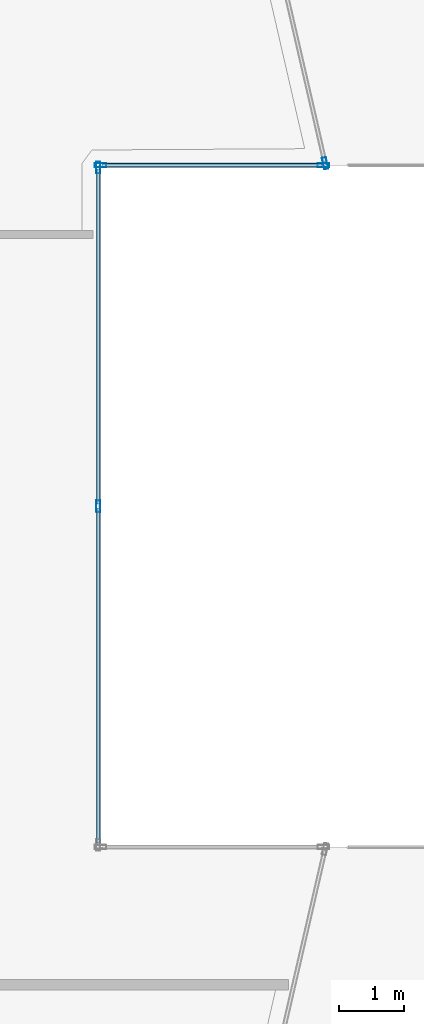
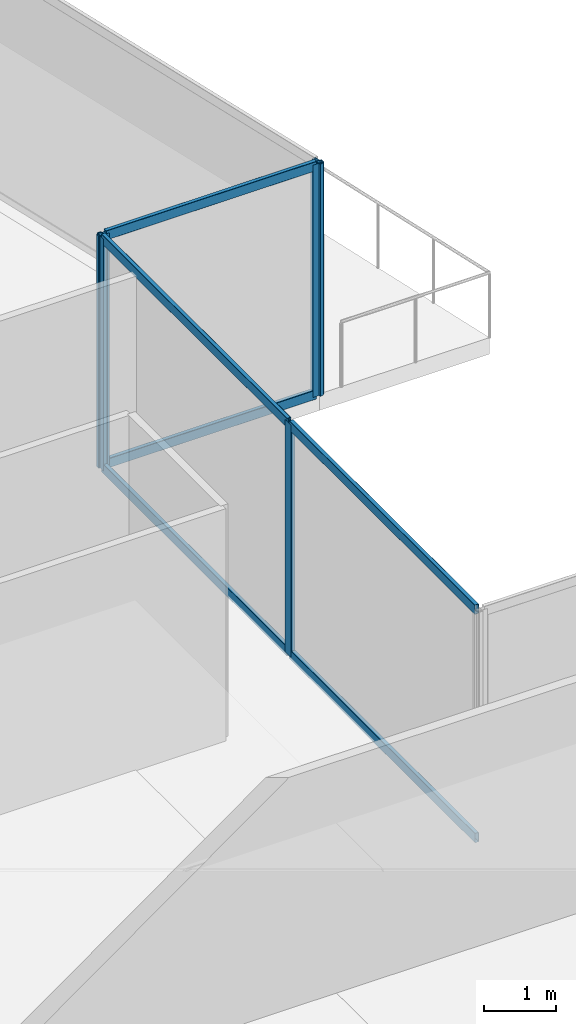
# One storey, part 25 of 45: 11 members, 3 elements without a shape of their own.
"""IFC4 building model written with IfcOpenShell, lengths in metres."""

from ifc_helpers import new_model, si_unit, direction, frame, origin, origin_2d, place, context, subcontext, project, spatial, hollow_rectangle, extrude, material, layer, layer_set, material_profile, profile_set, type_object, element, aggregate, save


model = new_model("IFC4")

# Units and contexts
model_context = context("Model", 3, precision=1e-05, world=origin(), true_north=direction((0.0, 1.0)))
body_context = subcontext(model_context, "Body", "Model", "MODEL_VIEW")
ifc_project = project(units=[si_unit("LENGTHUNIT", "METRE"), si_unit("AREAUNIT", "SQUARE_METRE"), si_unit("VOLUMEUNIT", "CUBIC_METRE"), si_unit("PLANEANGLEUNIT", "RADIAN"), si_unit("MASSUNIT", "GRAM", prefix="KILO")], contexts=[model_context])

# Site, building, storey
site_placement = place(None, origin())
site = spatial("IfcSite", under=ifc_project, at=site_placement, CompositionType="ELEMENT")
building_placement = place(site_placement, origin())
building = spatial("IfcBuilding", under=site, at=building_placement, Name="Qorvath Tower", CompositionType="ELEMENT")
storey_placement = place(building_placement, frame((0.0, 0.0, 66.0)))
storey = spatial("IfcBuildingStorey", under=building, at=storey_placement, Name="L14", CompositionType="ELEMENT", Elevation=66.0)

# Curtain wall, members
ifc_material_1 = material(Name="Anodised aluminium and triple low-E glass", Category="aluminium")
ifc_layer = layer(ifc_material_1, 0.179931640625)
ifc_layer_set = layer_set([ifc_layer], Name="CW-SYS-2")
curtain_wall_type = type_object("IfcCurtainWallType", Name="CW-SYS-2", PredefinedType="NOTDEFINED", material=ifc_layer_set)
curtain_wall_1_placement = place(storey_placement, origin())
curtain_wall_1 = element("IfcCurtainWall", 1, at=curtain_wall_1_placement, inside=storey, type_object=curtain_wall_type, Name="Curtain Wall CW-2 CW-T-L14-9.1", PredefinedType="NOTDEFINED")
ifc_material_2 = material(Name="Anodised aluminium 6063-T6", Category="aluminium")
ifc_material_profile_1 = material_profile(ifc_material_2, hollow_rectangle(XDim=0.06494140625, YDim=0.179931640625, WallThickness=0.00341796875, InnerFilletRadius=0.00341796875, OuterFilletRadius=0.007080078125, at=origin_2d()), Name="CWM 180x65")
ifc_profile_set_1 = profile_set([ifc_material_profile_1], Name="Anodised aluminium 6063-T6")
member_type_1 = type_object("IfcMemberType", Name="CWM-180", PredefinedType="MULLION", material=ifc_profile_set_1)
member_1_placement = place(storey_placement, frame((2.95751953125, 0.0, 0.0), z_axis=(0.0, 0.0, 1.0), x_axis=(-1.0, 0.0, 0.0)))
member_1 = element("IfcMember", 2, at=member_1_placement, type_object=member_type_1, Name="CW-2 mullion 2", PredefinedType="MULLION", context=body_context, shape_type="SweptSolid", body=[
    extrude(hollow_rectangle(XDim=0.06494140625, YDim=0.179931640625, WallThickness=0.00341796875, InnerFilletRadius=0.00341796875, OuterFilletRadius=0.007080078125, at=origin_2d()), origin(), (0.0, 0.0, 1.0), 3.919921875),
])
member_2_placement = place(storey_placement, frame((2.95751953125, 5.19482421875, 0.0), z_axis=(0.0, 0.0, 1.0), x_axis=(-1.0, 0.0, 0.0)))
member_2 = element("IfcMember", 3, at=member_2_placement, type_object=member_type_1, Name="CW-2 mullion 3", PredefinedType="MULLION", context=body_context, shape_type="SweptSolid", body=[
    extrude(hollow_rectangle(XDim=0.06494140625, YDim=0.179931640625, WallThickness=0.00341796875, InnerFilletRadius=0.00341796875, OuterFilletRadius=0.007080078125, at=origin_2d()), origin(), (0.0, 0.0, 1.0), 3.919921875),
])

curtain_wall_2_placement = place(storey_placement, origin())
curtain_wall_2 = element("IfcCurtainWall", 4, at=curtain_wall_2_placement, inside=storey, type_object=curtain_wall_type, Name="Curtain Wall CW-2 CW-T-L14-10.1", PredefinedType="NOTDEFINED")
member_3_placement = place(storey_placement, frame((2.989990234375, 5.227294921875, 0.0), z_axis=(0.0, 0.0, 1.0), x_axis=(0.0, 1.0, 0.0)))
member_3 = element("IfcMember", 5, at=member_3_placement, type_object=member_type_1, Name="CW-2 mullion 1", PredefinedType="MULLION", context=body_context, shape_type="SweptSolid", body=[
    extrude(hollow_rectangle(XDim=0.06494140625, YDim=0.179931640625, WallThickness=0.00341796875, InnerFilletRadius=0.00341796875, OuterFilletRadius=0.007080078125, at=origin_2d()), origin(), (0.0, 0.0, 1.0), 3.919921875),
])
member_4_placement = place(storey_placement, frame((6.409912109375, 5.227294921875, 0.0), z_axis=(0.0, 0.0, 1.0), x_axis=(0.0, 1.0, 0.0)))
member_4 = element("IfcMember", 6, at=member_4_placement, type_object=member_type_1, Name="CW-2 mullion 2", PredefinedType="MULLION", context=body_context, shape_type="SweptSolid", body=[
    extrude(hollow_rectangle(XDim=0.06494140625, YDim=0.179931640625, WallThickness=0.00341796875, InnerFilletRadius=0.00341796875, OuterFilletRadius=0.007080078125, at=origin_2d()), origin(), (0.0, 0.0, 1.0), 3.919921875),
])

# Curtain wall, member
curtain_wall_3_placement = place(storey_placement, origin())
curtain_wall_3 = element("IfcCurtainWall", 7, at=curtain_wall_3_placement, inside=storey, type_object=curtain_wall_type, Name="Curtain Wall CW-2 CW-T-L14-11.1", PredefinedType="NOTDEFINED")
member_5_placement = place(storey_placement, frame((6.43505859375, 5.259033203125, 0.0), z_axis=(0.0, 0.0, 1.0), x_axis=(-0.974413360078, -0.224763439425, 0.0)))
member_5 = element("IfcMember", 8, at=member_5_placement, type_object=member_type_1, Name="CW-2 mullion 1", PredefinedType="MULLION", context=body_context, shape_type="SweptSolid", body=[
    extrude(hollow_rectangle(XDim=0.06494140625, YDim=0.179931640625, WallThickness=0.00341796875, InnerFilletRadius=0.00341796875, OuterFilletRadius=0.007080078125, at=origin_2d()), origin(), (0.0, 0.0, 1.0), 3.919921875),
])
aggregate(curtain_wall_3, [member_5])

# Member
ifc_material_3 = material(Name="Anodised aluminium 6063-T6", Category="aluminium")
ifc_material_profile_2 = material_profile(ifc_material_3, hollow_rectangle(XDim=0.06494140625, YDim=0.159912109375, WallThickness=0.00341796875, InnerFilletRadius=0.00341796875, OuterFilletRadius=0.007080078125, at=origin_2d()), Name="CWT 160x65")
ifc_profile_set_2 = profile_set([ifc_material_profile_2], Name="Anodised aluminium 6063-T6")
member_type_2 = type_object("IfcMemberType", Name="CWT-160", PredefinedType="USERDEFINED", material=ifc_profile_set_2)
member_6_placement = place(storey_placement, frame((2.95751953125, -5.162353515625, 0.032470703125), z_axis=(0.0, 1.0, 0.0), x_axis=(-1.0, 0.0, 0.0)))
member_6 = element("IfcMember", 9, at=member_6_placement, type_object=member_type_2, Name="CW-2 transom 1.1", ObjectType="TRANSOM", PredefinedType="USERDEFINED", context=body_context, shape_type="SweptSolid", body=[
    extrude(hollow_rectangle(XDim=0.06494140625, YDim=0.159912109375, WallThickness=0.00341796875, InnerFilletRadius=0.00341796875, OuterFilletRadius=0.007080078125, at=origin_2d()), origin(), (0.0, 0.0, 1.0), 5.1298828125),
])

member_7_placement = place(storey_placement, frame((2.95751953125, -5.162353515625, 3.887451171875), z_axis=(0.0, 1.0, 0.0), x_axis=(-1.0, 0.0, 0.0)))
member_7 = element("IfcMember", 10, at=member_7_placement, type_object=member_type_2, Name="CW-2 transom 1.2", ObjectType="TRANSOM", PredefinedType="USERDEFINED", context=body_context, shape_type="SweptSolid", body=[
    extrude(hollow_rectangle(XDim=0.06494140625, YDim=0.159912109375, WallThickness=0.00341796875, InnerFilletRadius=0.00341796875, OuterFilletRadius=0.007080078125, at=origin_2d()), origin(), (0.0, 0.0, 1.0), 5.1298828125),
])

member_8_placement = place(storey_placement, frame((2.95751953125, 0.032470703125, 0.032470703125), z_axis=(0.0, 1.0, 0.0), x_axis=(-1.0, 0.0, 0.0)))
member_8 = element("IfcMember", 11, at=member_8_placement, type_object=member_type_2, Name="CW-2 transom 2.1", ObjectType="TRANSOM", PredefinedType="USERDEFINED", context=body_context, shape_type="SweptSolid", body=[
    extrude(hollow_rectangle(XDim=0.06494140625, YDim=0.159912109375, WallThickness=0.00341796875, InnerFilletRadius=0.00341796875, OuterFilletRadius=0.007080078125, at=origin_2d()), origin(), (0.0, 0.0, 1.0), 5.1298828125),
])

member_9_placement = place(storey_placement, frame((2.95751953125, 0.032470703125, 3.887451171875), z_axis=(0.0, 1.0, 0.0), x_axis=(-1.0, 0.0, 0.0)))
member_9 = element("IfcMember", 12, at=member_9_placement, type_object=member_type_2, Name="CW-2 transom 2.2", ObjectType="TRANSOM", PredefinedType="USERDEFINED", context=body_context, shape_type="SweptSolid", body=[
    extrude(hollow_rectangle(XDim=0.06494140625, YDim=0.159912109375, WallThickness=0.00341796875, InnerFilletRadius=0.00341796875, OuterFilletRadius=0.007080078125, at=origin_2d()), origin(), (0.0, 0.0, 1.0), 5.1298828125),
])

aggregate(curtain_wall_1, [member_1, member_2, member_6, member_7, member_8, member_9])

member_10_placement = place(storey_placement, frame((3.0224609375, 5.227294921875, 0.032470703125), z_axis=(1.0, 0.0, 0.0), x_axis=(0.0, 1.0, 0.0)))
member_10 = element("IfcMember", 13, at=member_10_placement, type_object=member_type_2, Name="CW-2 transom 1.1", ObjectType="TRANSOM", PredefinedType="USERDEFINED", context=body_context, shape_type="SweptSolid", body=[
    extrude(hollow_rectangle(XDim=0.06494140625, YDim=0.159912109375, WallThickness=0.00341796875, InnerFilletRadius=0.00341796875, OuterFilletRadius=0.007080078125, at=origin_2d()), origin(), (0.0, 0.0, 1.0), 3.35498046875),
])

member_11_placement = place(storey_placement, frame((3.0224609375, 5.227294921875, 3.887451171875), z_axis=(1.0, 0.0, 0.0), x_axis=(0.0, 1.0, 0.0)))
member_11 = element("IfcMember", 14, at=member_11_placement, type_object=member_type_2, Name="CW-2 transom 1.2", ObjectType="TRANSOM", PredefinedType="USERDEFINED", context=body_context, shape_type="SweptSolid", body=[
    extrude(hollow_rectangle(XDim=0.06494140625, YDim=0.159912109375, WallThickness=0.00341796875, InnerFilletRadius=0.00341796875, OuterFilletRadius=0.007080078125, at=origin_2d()), origin(), (0.0, 0.0, 1.0), 3.35498046875),
])

aggregate(curtain_wall_2, [member_3, member_4, member_10, member_11])

save(model, "model.ifc")
